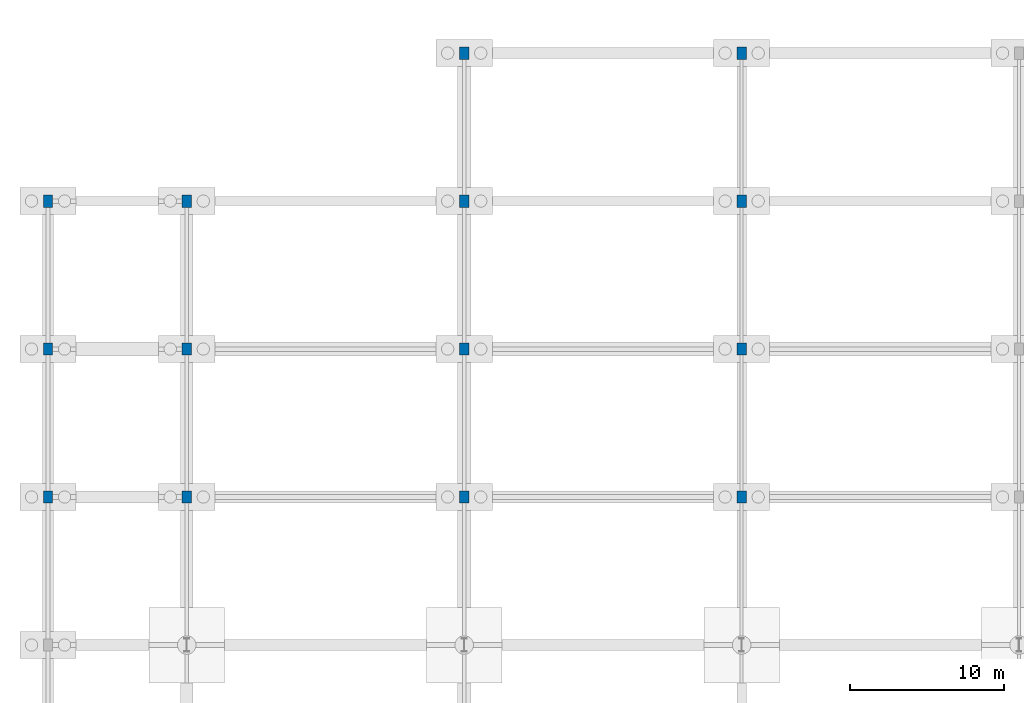
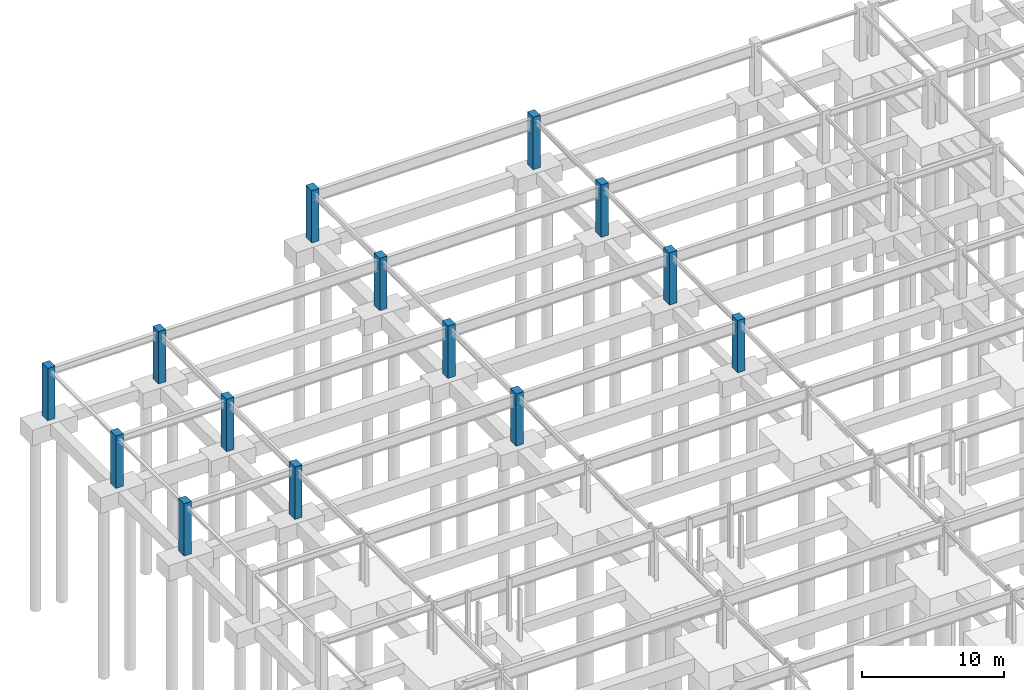
# One storey, part 18 of 59: 14 columns.
"""IFC4 building model written with IfcOpenShell, lengths in metres."""

from ifc_helpers import new_model, si_unit, direction, frame, origin, origin_2d, place, context, subcontext, project, spatial, rectangle, extrude, material, material_profile, profile_set, type_object, element, save


model = new_model("IFC4")

# Units and contexts
model_context = context("Model", 3, precision=1e-05, world=origin(), true_north=direction((0.0, 1.0)))
body_context = subcontext(model_context, "Body", "Model", "MODEL_VIEW")
ifc_project = project(units=[si_unit("LENGTHUNIT", "METRE"), si_unit("AREAUNIT", "SQUARE_METRE"), si_unit("VOLUMEUNIT", "CUBIC_METRE"), si_unit("PLANEANGLEUNIT", "RADIAN"), si_unit("MASSUNIT", "GRAM", prefix="KILO")], contexts=[model_context])

# Site, building, storey
site_placement = place(None, origin())
site = spatial("IfcSite", under=ifc_project, at=site_placement, CompositionType="ELEMENT")
building_placement = place(site_placement, origin())
building = spatial("IfcBuilding", under=site, at=building_placement, Name="Myrtia Square Station", CompositionType="ELEMENT")
storey_placement = place(building_placement, frame((0.0, 0.0, -4.5)))
storey = spatial("IfcBuildingStorey", under=building, at=storey_placement, Name="B01", CompositionType="ELEMENT", Elevation=-4.5)

# Columns
ifc_material = material(Name="Concrete C40/50", Category="concrete")
ifc_material_profile = material_profile(ifc_material, rectangle(XDim=0.60009765625, YDim=0.800048828125, at=origin_2d()), Name="RC 600x800")
ifc_profile_set = profile_set([ifc_material_profile], Name="Concrete C40/50")
column_type = type_object("IfcColumnType", Name="COL-RC600x800", PredefinedType="COLUMN", material=ifc_profile_set)
for number, where, z_axis, x_axis, name in (
    (1, (0.0, 96.0, 0.0), (0.0, 0.0, 1.0), (1.0, 0.0, 0.0), "Column B01-0028"),
    (2, (0.0, 105.60009765625, 0.0), (0.0, 0.0, 1.0), (1.0, 0.0, 0.0), "Column B01-0031"),
    (3, (0.0, 115.199951171875, 0.0), (0.0, 0.0, 1.0), (1.0, 0.0, 0.0), "Column B01-0034"),
    (4, (9.0, 96.0, 0.0), (0.0, 0.0, 1.0), (1.0, 0.0, 0.0), "Column B01-0064"),
    (5, (9.0, 105.60009765625, 0.0), (0.0, 0.0, 1.0), (1.0, 0.0, 0.0), "Column B01-0067"),
    (6, (9.0, 115.199951171875, 0.0), (0.0, 0.0, 1.0), (1.0, 0.0, 0.0), "Column B01-0070"),
    (7, (27.0, 96.0, 0.0), (0.0, 0.0, 1.0), (1.0, 0.0, 0.0), "Column B01-0103"),
    (8, (27.0, 105.60009765625, 0.0), (0.0, 0.0, 1.0), (1.0, 0.0, 0.0), "Column B01-0106"),
    (9, (27.0, 115.199951171875, 0.0), (0.0, 0.0, 1.0), (1.0, 0.0, 0.0), "Column B01-0109"),
    (10, (27.0, 124.800048828125, 0.0), (0.0, 0.0, 1.0), (1.0, 0.0, 0.0), "Column B01-0112"),
    (11, (45.0, 96.0, 0.0), (0.0, 0.0, 1.0), (1.0, 0.0, 0.0), "Column B01-0145"),
    (12, (45.0, 105.60009765625, 0.0), (0.0, 0.0, 1.0), (1.0, 0.0, 0.0), "Column B01-0148"),
    (13, (45.0, 115.199951171875, 0.0), (0.0, 0.0, 1.0), (1.0, 0.0, 0.0), "Column B01-0151"),
    (14, (45.0, 124.800048828125, 0.0), (0.0, 0.0, 1.0), (1.0, 0.0, 0.0), "Column B01-0154"),
):
    element("IfcColumn", number, at=place(storey_placement, frame(where, z_axis=z_axis, x_axis=x_axis)), inside=storey, type_object=column_type, Name=name, PredefinedType="COLUMN", context=body_context, shape_type="SweptSolid", body=[
        extrude(rectangle(XDim=0.60009765625, YDim=0.800048828125, at=origin_2d()), origin(), (0.0, 0.0, 1.0), 4.5),
    ])

save(model, "model.ifc")
